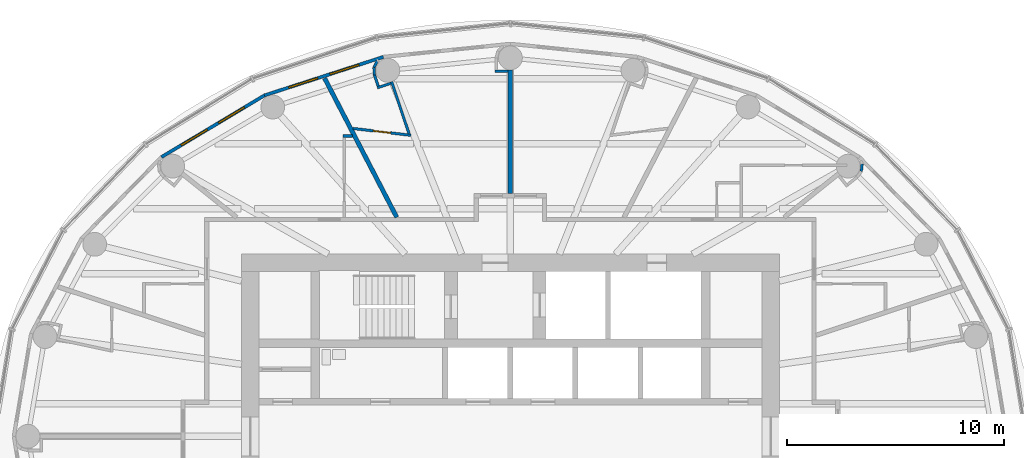
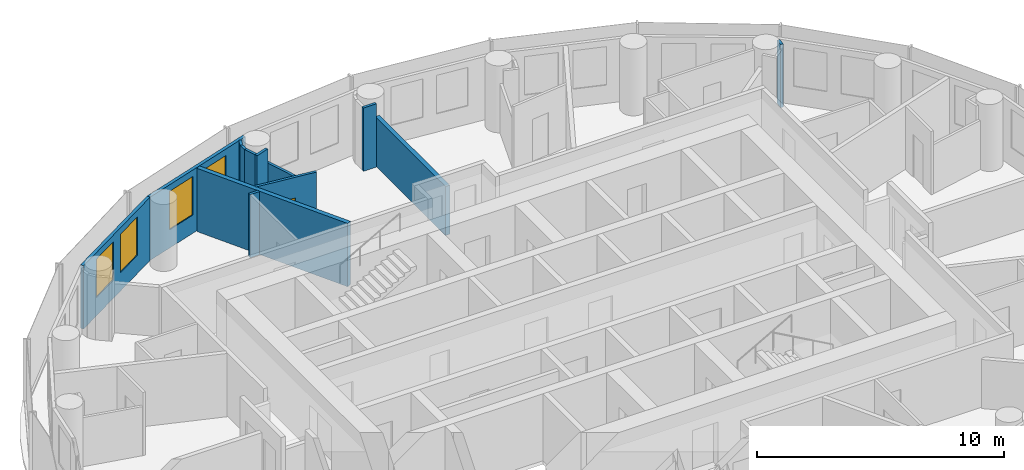
# One storey, part 12 of 16: 13 walls, 4 windows, 1 door, 5 openings.
"""IFC4 building model written with IfcOpenShell, lengths in metres."""

from ifc_helpers import new_model, si_unit, direction, frame, frame_2d, origin, place, context, subcontext, project, spatial, rectangle, extrude, material, layer, layer_set, type_object, element, fill, save


model = new_model("IFC4")

# Units and contexts
model_context = context("Model", 3, precision=1e-05, world=origin(), true_north=direction((0.0, 1.0)))
body_context = subcontext(model_context, "Body", "Model", "MODEL_VIEW")
ifc_project = project(units=[si_unit("LENGTHUNIT", "METRE"), si_unit("AREAUNIT", "SQUARE_METRE"), si_unit("VOLUMEUNIT", "CUBIC_METRE"), si_unit("PLANEANGLEUNIT", "RADIAN"), si_unit("MASSUNIT", "GRAM", prefix="KILO")], contexts=[model_context])

# Site, building, storey
site_placement = place(None, origin())
site = spatial("IfcSite", under=ifc_project, at=site_placement, CompositionType="ELEMENT")
building_placement = place(site_placement, origin())
building = spatial("IfcBuilding", under=site, at=building_placement, Name="Hankou Lantern Tower", CompositionType="ELEMENT")
storey_placement = place(building_placement, frame((0.0, 0.0, 146.699951171875)))
storey = spatial("IfcBuildingStorey", under=building, at=storey_placement, Name="L38", CompositionType="ELEMENT", Elevation=146.699951171875)

# Wall, openings, windows
ifc_material_1 = material(Name="Aluminium spandrel panel on steel studs", Category="steel")
ifc_layer_1 = layer(ifc_material_1, 0.14990234375)
ifc_layer_set_1 = layer_set([ifc_layer_1], Name="Aluminium spandrel panel on steel studs")
wall_type_1 = type_object("IfcWallType", Name="EW1 INNER SKIN WALL 150", PredefinedType="ELEMENTEDWALL", material=ifc_layer_set_1)
wall_1_placement = place(storey_placement, frame((-5.8603515625, 17.497314453125, 0.0), z_axis=(0.0, 0.0, 1.0), x_axis=(-0.951432482129, -0.307857486429, 0.0)))
wall_1 = element("IfcWall", 1, at=wall_1_placement, inside=storey, type_object=wall_type_1, Name="Inner skin R08-R09 L38", PredefinedType="ELEMENTEDWALL", context=body_context, shape_type="SweptSolid", body=[
    extrude(rectangle(XDim=5.76611328125, YDim=0.14990234375, at=frame_2d((2.883056640625, 0.0))), origin(), (0.0, 0.0, 1.0), 3.1201171875),
])
opening_1_placement = place(wall_1_placement, frame((1.18310546875, 0.0, 0.89990234375)))
opening_1 = element("IfcOpeningElement", 2, at=opening_1_placement, cuts=wall_1, Name="Opening W3", PredefinedType="OPENING", context=body_context, shape_type="SweptSolid", body=[
    extrude(rectangle(XDim=1.39990234375, YDim=1.89990234375, at=frame_2d((0.699951171875, 0.949951171875))), frame((0.0, 0.0849609375, 0.0), z_axis=(0.0, -1.0, 0.0), x_axis=(1.0, 0.0, 0.0)), (0.0, 0.0, 1.0), 0.169921875),
])
opening_2_placement = place(wall_1_placement, frame((3.18310546875, 0.0, 0.89990234375)))
opening_2 = element("IfcOpeningElement", 3, at=opening_2_placement, cuts=wall_1, Name="Opening W3", PredefinedType="OPENING", context=body_context, shape_type="SweptSolid", body=[
    extrude(rectangle(XDim=1.39990234375, YDim=1.89990234375, at=frame_2d((0.699951171875, 0.949951171875))), frame((0.0, 0.0849609375, 0.0), z_axis=(0.0, -1.0, 0.0), x_axis=(1.0, 0.0, 0.0)), (0.0, 0.0, 1.0), 0.169921875),
])
ifc_material_2 = material(Name="Aluminium framed double glazed window", Category="aluminium")
window_type = type_object("IfcWindowType", Name="W3 GUEST ROOM WINDOW 1400X1900", PartitioningType="DOUBLE_PANEL_VERTICAL", PredefinedType="WINDOW", material=ifc_material_2)
window_1_placement = place(opening_1_placement, origin())
window_1 = element("IfcWindow", 4, at=window_1_placement, inside=storey, type_object=window_type, Name="Window R08.1 L38", OverallHeight=1.89990234375, OverallWidth=1.39990234375, PartitioningType="SINGLE_PANEL", PredefinedType="WINDOW", context=body_context, shape_type="SweptSolid", body=[
    extrude(rectangle(XDim=1.39990234375, YDim=1.89990234375, at=frame_2d((0.699951171875, 0.949951171875))), frame((0.0, 0.030029296875, 0.0), z_axis=(0.0, -1.0, 0.0), x_axis=(1.0, 0.0, 0.0)), (0.0, 0.0, 1.0), 0.06005859375),
])
fill(opening_1, window_1)
window_2_placement = place(opening_2_placement, origin())
window_2 = element("IfcWindow", 5, at=window_2_placement, inside=storey, type_object=window_type, Name="Window R08.2 L38", OverallHeight=1.89990234375, OverallWidth=1.39990234375, PartitioningType="SINGLE_PANEL", PredefinedType="WINDOW", context=body_context, shape_type="SweptSolid", body=[
    extrude(rectangle(XDim=1.39990234375, YDim=1.89990234375, at=frame_2d((0.699951171875, 0.949951171875))), frame((0.0, 0.030029296875, 0.0), z_axis=(0.0, -1.0, 0.0), x_axis=(1.0, 0.0, 0.0)), (0.0, 0.0, 1.0), 0.06005859375),
])
fill(opening_2, window_2)

wall_2_placement = place(storey_placement, frame((-11.346435546875, 15.72216796875, 0.0), z_axis=(0.0, 0.0, 1.0), x_axis=(-0.857695199231, -0.514158482587, 0.0)))
wall_2 = element("IfcWall", 6, at=wall_2_placement, inside=storey, type_object=wall_type_1, Name="Inner skin R09-R10 L38", PredefinedType="ELEMENTEDWALL", context=body_context, shape_type="SweptSolid", body=[
    extrude(rectangle(XDim=5.5361328125, YDim=0.14990234375, at=frame_2d((2.76806640625, 0.0))), origin(), (0.0, 0.0, 1.0), 3.1201171875),
])
opening_3_placement = place(wall_2_placement, frame((1.068115234375, 0.0, 0.89990234375)))
opening_3 = element("IfcOpeningElement", 7, at=opening_3_placement, cuts=wall_2, Name="Opening W3", PredefinedType="OPENING", context=body_context, shape_type="SweptSolid", body=[
    extrude(rectangle(XDim=1.39990234375, YDim=1.89990234375, at=frame_2d((0.699951171875, 0.949951171875))), frame((0.0, 0.0849609375, 0.0), z_axis=(0.0, -1.0, 0.0), x_axis=(1.0, 0.0, 0.0)), (0.0, 0.0, 1.0), 0.169921875),
])
opening_4_placement = place(wall_2_placement, frame((3.068115234375, 0.0, 0.89990234375)))
opening_4 = element("IfcOpeningElement", 8, at=opening_4_placement, cuts=wall_2, Name="Opening W3", PredefinedType="OPENING", context=body_context, shape_type="SweptSolid", body=[
    extrude(rectangle(XDim=1.39990234375, YDim=1.89990234375, at=frame_2d((0.699951171875, 0.949951171875))), frame((0.0, 0.0849609375, 0.0), z_axis=(0.0, -1.0, 0.0), x_axis=(1.0, 0.0, 0.0)), (0.0, 0.0, 1.0), 0.169921875),
])
window_3_placement = place(opening_3_placement, origin())
window_3 = element("IfcWindow", 9, at=window_3_placement, inside=storey, type_object=window_type, Name="Window R09.1 L38", OverallHeight=1.89990234375, OverallWidth=1.39990234375, PartitioningType="SINGLE_PANEL", PredefinedType="WINDOW", context=body_context, shape_type="SweptSolid", body=[
    extrude(rectangle(XDim=1.39990234375, YDim=1.89990234375, at=frame_2d((0.699951171875, 0.949951171875))), frame((0.0, 0.030029296875, 0.0), z_axis=(0.0, -1.0, 0.0), x_axis=(1.0, 0.0, 0.0)), (0.0, 0.0, 1.0), 0.06005859375),
])
fill(opening_3, window_3)
window_4_placement = place(opening_4_placement, origin())
window_4 = element("IfcWindow", 10, at=window_4_placement, inside=storey, type_object=window_type, Name="Window R09.2 L38", OverallHeight=1.89990234375, OverallWidth=1.39990234375, PartitioningType="SINGLE_PANEL", PredefinedType="WINDOW", context=body_context, shape_type="SweptSolid", body=[
    extrude(rectangle(XDim=1.39990234375, YDim=1.89990234375, at=frame_2d((0.699951171875, 0.949951171875))), frame((0.0, 0.030029296875, 0.0), z_axis=(0.0, -1.0, 0.0), x_axis=(1.0, 0.0, 0.0)), (0.0, 0.0, 1.0), 0.06005859375),
])
fill(opening_4, window_4)

# Walls
ifc_material_3 = material(Name="Masonry lightweight concrete block", Category="masonry")
ifc_layer_2 = layer(ifc_material_3, 0.199951171875)
ifc_layer_set_2 = layer_set([ifc_layer_2], Name="Masonry lightweight concrete block")
wall_type_2 = type_object("IfcWallType", Name="IW1 GUEST ROOM PARTY WALL 200", PredefinedType="PARTITIONING", material=ifc_layer_set_2)
wall_3_placement = place(storey_placement, frame((0.0, 11.199951171875, 0.0), z_axis=(0.0, 0.0, 1.0), x_axis=(0.0, 1.0, 0.0)))
element("IfcWall", 11, at=wall_3_placement, inside=storey, type_object=wall_type_2, Name="Party wall R07", PredefinedType="PARTITIONING", context=body_context, shape_type="SweptSolid", body=[
    extrude(rectangle(XDim=5.699951171875, YDim=0.199951171875, at=frame_2d((2.85009765625, 0.0))), origin(), (0.0, 0.0, 1.0), 2.420166015625),
])
wall_4_placement = place(storey_placement, frame((-5.239990234375, 10.10009765625, 0.0), z_axis=(0.0, 0.0, 1.0), x_axis=(-0.460532965373, 0.887642601391, 0.0)))
element("IfcWall", 12, at=wall_4_placement, inside=storey, type_object=wall_type_2, Name="Party wall R08-R09", PredefinedType="PARTITIONING", context=body_context, shape_type="SweptSolid", body=[
    extrude(rectangle(XDim=7.2314453125, YDim=0.199951171875, at=frame_2d((3.61572265625, 0.0))), origin(), (0.0, 0.0, 1.0), 3.1201171875),
])

# Wall, opening, door
ifc_material_4 = material(Name="Masonry lightweight concrete block", Category="masonry")
ifc_layer_3 = layer(ifc_material_4, 0.1201171875)
ifc_layer_set_3 = layer_set([ifc_layer_3], Name="Masonry lightweight concrete block")
wall_type_3 = type_object("IfcWallType", Name="IW3 BATHROOM WALL 120", PredefinedType="PARTITIONING", material=ifc_layer_set_3)
wall_5_placement = place(storey_placement, frame((-7.2529296875, 14.197021484375, 0.0), z_axis=(0.0, 0.0, 1.0), x_axis=(0.993128188393, -0.117031625725, 0.0)))
wall_5 = element("IfcWall", 13, at=wall_5_placement, inside=storey, type_object=wall_type_3, Name="Box wall 3804 1", PredefinedType="PARTITIONING", context=body_context, shape_type="SweptSolid", body=[
    extrude(rectangle(XDim=2.678466796875, YDim=0.1201171875, at=frame_2d((1.33935546875, 0.0))), origin(), (0.0, 0.0, 1.0), 3.1201171875),
])
opening_5_placement = place(wall_5_placement, frame((0.939208984375, 0.0, 0.0)))
opening_5 = element("IfcOpeningElement", 14, at=opening_5_placement, cuts=wall_5, Name="Opening D3", PredefinedType="OPENING", context=body_context, shape_type="SweptSolid", body=[
    extrude(rectangle(XDim=0.800048828125, YDim=2.10009765625, at=frame_2d((0.39990234375, 1.050048828125))), frame((0.0, 0.070068359375, 0.0), z_axis=(0.0, -1.0, 0.0), x_axis=(1.0, 0.0, 0.0)), (0.0, 0.0, 1.0), 0.14013671875),
])
ifc_material_5 = material(Name="Timber door leaf", Category="wood")
door_type = type_object("IfcDoorType", Name="D3 BATHROOM DOOR 800X2100", OperationType="SINGLE_SWING_LEFT", PredefinedType="DOOR", material=ifc_material_5)
door_placement = place(opening_5_placement, origin())
door = element("IfcDoor", 15, at=door_placement, inside=storey, type_object=door_type, Name="En-suite bathroom 3804 door", OperationType="SINGLE_SWING_RIGHT", OverallHeight=2.10009765625, OverallWidth=0.800048828125, PredefinedType="DOOR", context=body_context, shape_type="SweptSolid", body=[
    extrude(rectangle(XDim=0.800048828125, YDim=2.10009765625, at=frame_2d((0.39990234375, 1.050048828125))), frame((0.0, 0.02490234375, 0.0), z_axis=(0.0, -1.0, 0.0), x_axis=(1.0, 0.0, 0.0)), (0.0, 0.0, 1.0), 0.050048828125),
])
fill(opening_5, door)

# Walls
wall_6_placement = place(storey_placement, frame((-4.67138671875, 13.947509765625, 0.0), z_axis=(0.0, 0.0, 1.0), x_axis=(-0.317669167093, 0.948201613729, 0.0)))
element("IfcWall", 16, at=wall_6_placement, inside=storey, type_object=wall_type_3, Name="Box wall 3804 2", PredefinedType="PARTITIONING", context=body_context, shape_type="SweptSolid", body=[
    extrude(rectangle(XDim=2.5400390625, YDim=0.1201171875, at=frame_2d((1.27001953125, 0.0))), origin(), (0.0, 0.0, 1.0), 2.420166015625),
])
wall_7_placement = place(storey_placement, frame((-5.51611328125, 16.280029296875, 0.0), z_axis=(0.0, 0.0, 1.0), x_axis=(-0.948157944392, -0.317799484717, 0.0)))
element("IfcWall", 17, at=wall_7_placement, inside=storey, type_object=wall_type_3, Name="Column casing 3804 return", PredefinedType="PARTITIONING", context=body_context, shape_type="SweptSolid", body=[
    extrude(rectangle(XDim=0.652099609375, YDim=0.1201171875, at=frame_2d((0.326171875, 0.0))), origin(), (0.0, 0.0, 1.0), 3.1201171875),
])
wall_8_placement = place(storey_placement, frame((-6.0966796875, 16.148681640625, 0.0), z_axis=(0.0, 0.0, 1.0), x_axis=(-0.317292604854, 0.948327687514, 0.0)))
element("IfcWall", 18, at=wall_8_placement, inside=storey, type_object=wall_type_3, Name="Column casing 3804", PredefinedType="PARTITIONING", context=body_context, shape_type="SweptSolid", body=[
    extrude(rectangle(XDim=0.550048828125, YDim=0.1201171875, at=frame_2d((0.27490234375, 0.0))), origin(), (0.0, 0.0, 1.0), 3.1201171875),
])
for number, where, z_axis, x_axis, name in (
    (19, (-6.271240234375, 16.67041015625, 0.0), (0.0, 0.0, 1.0), (-0.061477694849, 0.998108457552, 0.0), "Column casing 3804"),
    (20, (-6.2919921875, 17.00732421875, 0.0), (0.0, 0.0, 1.0), (0.445477128334, 0.895293319606, 0.0), "Column casing 3804"),
):
    element("IfcWall", number, at=place(storey_placement, frame(where, z_axis=z_axis, x_axis=x_axis)), inside=storey, type_object=wall_type_3, Name=name, PredefinedType="PARTITIONING", context=body_context, shape_type="SweptSolid", body=[
        extrude(rectangle(XDim=0.337646484375, YDim=0.1201171875, at=frame_2d((0.1689453125, 0.0))), origin(), (0.0, 0.0, 1.0), 3.1201171875),
    ])
wall_9_placement = place(storey_placement, frame((-7.28564453125, 13.85009765625, 0.0), z_axis=(0.0, 0.0, 1.0), x_axis=(-1.0, 0.0, 0.0)))
element("IfcWall", 21, at=wall_9_placement, inside=storey, type_object=wall_type_3, Name="Box wall 3805 1", PredefinedType="PARTITIONING", context=body_context, shape_type="SweptSolid", body=[
    extrude(rectangle(XDim=0.4443359375, YDim=0.1201171875, at=frame_2d((0.22216796875, 0.0))), origin(), (0.0, 0.0, 1.0), 3.1201171875),
])
ifc_material_6 = material(Name="Masonry lightweight concrete block", Category="masonry")
ifc_layer_4 = layer(ifc_material_6, 0.1201171875)
ifc_layer_set_4 = layer_set([ifc_layer_4], Name="Masonry lightweight concrete block")
wall_type_4 = type_object("IfcWallType", Name="IW4 PARTITION 120", PredefinedType="PARTITIONING", material=ifc_layer_set_4)
wall_10_placement = place(storey_placement, frame((16.18359375, 12.2236328125, 0.0), z_axis=(0.0, 0.0, 1.0), x_axis=(0.110669692975, 0.993857242795, 0.0)))
element("IfcWall", 22, at=wall_10_placement, inside=storey, type_object=wall_type_4, Name="Column casing R04", PredefinedType="PARTITIONING", context=body_context, shape_type="SweptSolid", body=[
    extrude(rectangle(XDim=0.33740234375, YDim=0.1201171875, at=frame_2d((0.168701171875, 0.0))), origin(), (0.0, 0.0, 1.0), 3.1201171875),
])
wall_11_placement = place(storey_placement, frame((-0.10009765625, 16.840087890625, 0.0), z_axis=(0.0, 0.0, 1.0), x_axis=(-1.0, 0.0, 0.0)))
element("IfcWall", 23, at=wall_11_placement, inside=storey, type_object=wall_type_4, Name="Column casing R07 return", PredefinedType="PARTITIONING", context=body_context, shape_type="SweptSolid", body=[
    extrude(rectangle(XDim=0.612060546875, YDim=0.1201171875, at=frame_2d((0.30615234375, 0.0))), origin(), (0.0, 0.0, 1.0), 3.1201171875),
])

save(model, "model.ifc")
